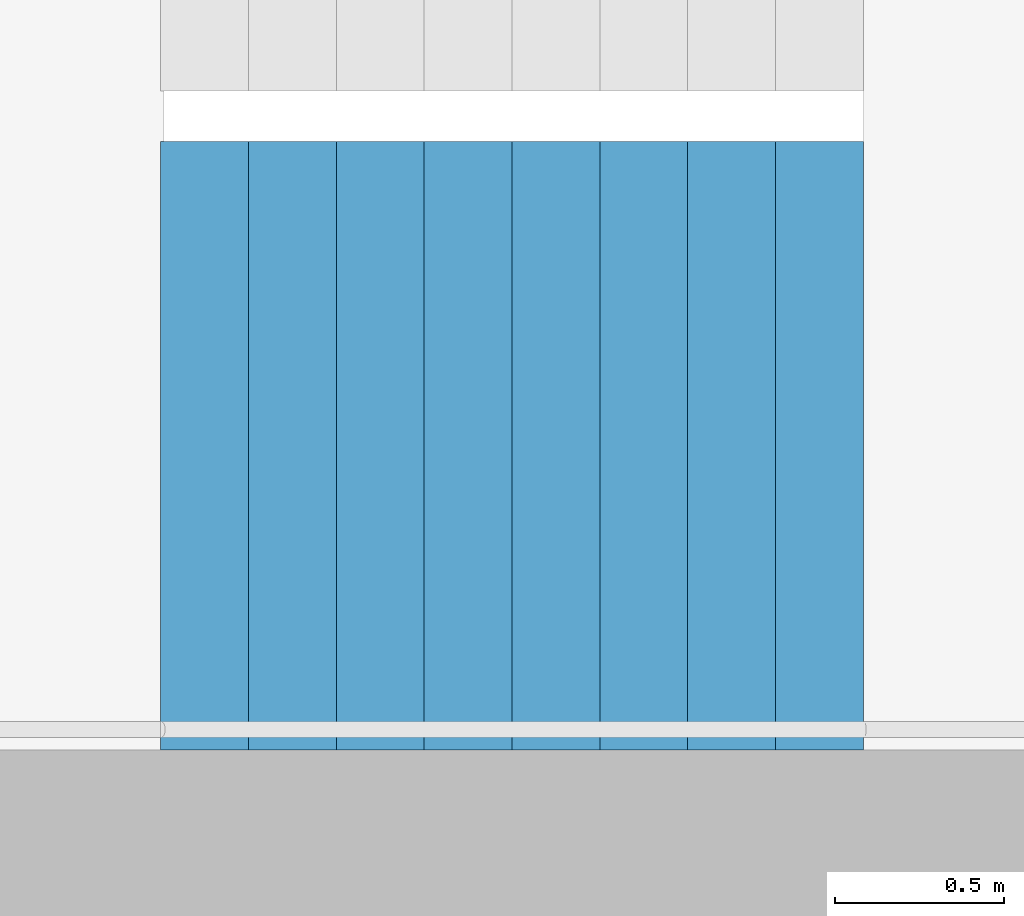
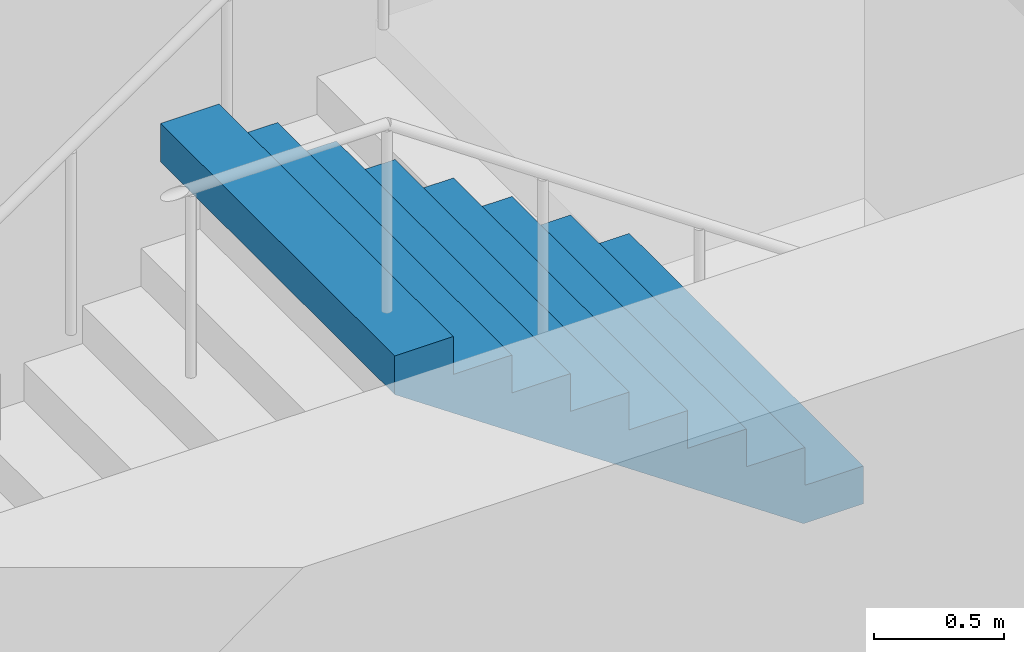
# One storey, part 25 of 29: 1 stair flight, 1 element without a shape of its own.
"""IFC4 building model written with IfcOpenShell, lengths in metres."""

from ifc_helpers import new_model, si_unit, direction, frame, origin, place, context, subcontext, project, spatial, triangles, material, type_object, element, aggregate, save


model = new_model("IFC4")

# Units and contexts
model_context = context("Model", 3, precision=1e-05, world=origin(), true_north=direction((0.0, 1.0)))
body_context = subcontext(model_context, "Body", "Model", "MODEL_VIEW")
ifc_project = project(units=[si_unit("LENGTHUNIT", "METRE"), si_unit("AREAUNIT", "SQUARE_METRE"), si_unit("VOLUMEUNIT", "CUBIC_METRE"), si_unit("PLANEANGLEUNIT", "RADIAN"), si_unit("MASSUNIT", "GRAM", prefix="KILO")], contexts=[model_context])

# Site, building, storey
site_placement = place(None, origin())
site = spatial("IfcSite", under=ifc_project, at=site_placement, CompositionType="ELEMENT")
building_placement = place(site_placement, origin())
building = spatial("IfcBuilding", under=site, at=building_placement, Name="Hakoniwa Tower and Hamabe Station Hall", CompositionType="ELEMENT")
storey_placement = place(building_placement, frame((0.0, 0.0, 61.39990234375)))
storey = spatial("IfcBuildingStorey", under=building, at=storey_placement, Name="L17", CompositionType="ELEMENT", Elevation=61.39990234375)

# Stair, stair flight
ifc_material_1 = material(Name="Concrete C40", Category="concrete")
stair_type = type_object("IfcStairType", Name="ESCAPE STAIR 1800", PredefinedType="HALF_TURN_STAIR", material=ifc_material_1)
stair_placement = place(storey_placement, origin())
stair = element("IfcStair", 1, at=stair_placement, inside=storey, type_object=stair_type, Name="Escape stair ST-4 L17", PredefinedType="HALF_TURN_STAIR")
ifc_material_2 = material(Name="Concrete C40", Category="concrete")
stair_flight_type = type_object("IfcStairFlightType", Name="STAIR FLIGHT 1800", PredefinedType="STRAIGHT", material=ifc_material_2)
stair_flight_placement = place(storey_placement, frame((25.47998046875, -6.60009765625, 1.60009765625), z_axis=(0.0, 0.0, 1.0), x_axis=(-1.0, 0.0, 0.0)))
stair_flight = element("IfcStairFlight", 2, at=stair_flight_placement, type_object=stair_flight_type, Name="ST-4 flight 2", NumberOfRisers=9, NumberOfTreads=8, PredefinedType="STRAIGHT", RiserHeight=0.177777778, TreadLength=0.26, context=body_context, shape_type="Tessellation", body=[
    triangles([(0.0, 0.89990234375, 0.0), (0.260009765625, 0.89990234375, 0.0), (0.265625, 0.89990234375, 0.0), (0.52001953125, 0.89990234375, 0.174072265625), (0.780029296875, 0.89990234375, 0.351806640625), (1.0400390625, 0.89990234375, 0.529541015625), (1.300048828125, 0.89990234375, 0.707275390625), (1.56005859375, 0.89990234375, 0.885009765625), (1.820068359375, 0.89990234375, 1.062744140625), (2.080078125, 0.89990234375, 1.24072265625), (2.080078125, 0.89990234375, 1.422119140625), (1.820068359375, 0.89990234375, 1.422119140625), (1.820068359375, 0.89990234375, 1.244384765625), (1.56005859375, 0.89990234375, 1.244384765625), (1.56005859375, 0.89990234375, 1.066650390625), (1.300048828125, 0.89990234375, 1.066650390625), (1.300048828125, 0.89990234375, 0.888916015625), (1.0400390625, 0.89990234375, 0.888916015625), (1.0400390625, 0.89990234375, 0.711181640625), (0.780029296875, 0.89990234375, 0.711181640625), (0.780029296875, 0.89990234375, 0.533447265625), (0.52001953125, 0.89990234375, 0.533447265625), (0.52001953125, 0.89990234375, 0.35546875), (0.265625, 0.89990234375, 0.35546875), (0.260009765625, 0.89990234375, 0.35546875), (0.260009765625, 0.89990234375, 0.177734375), (0.0, 0.89990234375, 0.177734375), (0.0, 0.06005859375, 0.0), (0.260009765625, 0.06005859375, 0.0), (0.265625, 0.06005859375, 0.0), (0.52001953125, 0.06005859375, 0.174072265625), (0.780029296875, 0.06005859375, 0.351806640625), (1.0400390625, 0.06005859375, 0.529541015625), (1.300048828125, 0.06005859375, 0.707275390625), (1.56005859375, 0.06005859375, 0.885009765625), (1.820068359375, 0.06005859375, 1.062744140625), (2.080078125, 0.06005859375, 1.24072265625), (2.080078125, 0.06005859375, 1.422119140625), (1.820068359375, 0.06005859375, 1.422119140625), (1.820068359375, 0.06005859375, 1.244384765625), (1.56005859375, 0.06005859375, 1.244384765625), (1.56005859375, 0.06005859375, 1.066650390625), (1.300048828125, 0.06005859375, 1.066650390625), (1.300048828125, 0.06005859375, 0.888916015625), (1.0400390625, 0.06005859375, 0.888916015625), (1.0400390625, 0.06005859375, 0.711181640625), (0.780029296875, 0.06005859375, 0.711181640625), (0.780029296875, 0.06005859375, 0.533447265625), (0.52001953125, 0.06005859375, 0.533447265625), (0.52001953125, 0.06005859375, 0.35546875), (0.265625, 0.06005859375, 0.35546875), (0.260009765625, 0.06005859375, 0.35546875), (0.260009765625, 0.06005859375, 0.177734375), (0.0, 0.06005859375, 0.177734375), (0.0, 0.04296875, 0.0), (0.260009765625, 0.04296875, 0.0), (0.265625, 0.04296875, 0.0), (0.52001953125, 0.04296875, 0.174072265625), (0.780029296875, 0.04296875, 0.351806640625), (1.0400390625, 0.04296875, 0.529541015625), (1.300048828125, 0.04296875, 0.707275390625), (1.56005859375, 0.04296875, 0.885009765625), (1.820068359375, 0.04296875, 1.062744140625), (2.080078125, 0.04296875, 1.24072265625), (2.080078125, 0.04296875, 1.422119140625), (1.820068359375, 0.04296875, 1.422119140625), (1.820068359375, 0.04296875, 1.244384765625), (1.56005859375, 0.04296875, 1.244384765625), (1.56005859375, 0.04296875, 1.066650390625), (1.300048828125, 0.04296875, 1.066650390625), (1.300048828125, 0.04296875, 0.888916015625), (1.0400390625, 0.04296875, 0.888916015625), (1.0400390625, 0.04296875, 0.711181640625), (0.780029296875, 0.04296875, 0.711181640625), (0.780029296875, 0.04296875, 0.533447265625), (0.52001953125, 0.04296875, 0.533447265625), (0.52001953125, 0.04296875, 0.35546875), (0.265625, 0.04296875, 0.35546875), (0.260009765625, 0.04296875, 0.35546875), (0.260009765625, 0.04296875, 0.177734375), (0.0, 0.04296875, 0.177734375), (0.0, 0.025634765625, 0.0), (0.260009765625, 0.025634765625, 0.0), (0.265625, 0.025634765625, 0.0), (0.52001953125, 0.025634765625, 0.174072265625), (0.780029296875, 0.025634765625, 0.351806640625), (1.0400390625, 0.025634765625, 0.529541015625), (1.300048828125, 0.025634765625, 0.707275390625), (1.56005859375, 0.025634765625, 0.885009765625), (1.820068359375, 0.025634765625, 1.062744140625), (2.080078125, 0.025634765625, 1.24072265625), (2.080078125, 0.025634765625, 1.422119140625), (1.820068359375, 0.025634765625, 1.422119140625), (1.820068359375, 0.025634765625, 1.244384765625), (1.56005859375, 0.025634765625, 1.244384765625), (1.56005859375, 0.025634765625, 1.066650390625), (1.300048828125, 0.025634765625, 1.066650390625), (1.300048828125, 0.025634765625, 0.888916015625), (1.0400390625, 0.025634765625, 0.888916015625), (1.0400390625, 0.025634765625, 0.711181640625), (0.780029296875, 0.025634765625, 0.711181640625), (0.780029296875, 0.025634765625, 0.533447265625), (0.52001953125, 0.025634765625, 0.533447265625), (0.52001953125, 0.025634765625, 0.35546875), (0.265625, 0.025634765625, 0.35546875), (0.260009765625, 0.025634765625, 0.35546875), (0.260009765625, 0.025634765625, 0.177734375), (0.0, 0.025634765625, 0.177734375), (0.0, 0.008544921875, 0.0), (0.260009765625, 0.008544921875, 0.0), (0.265625, 0.008544921875, 0.0), (0.52001953125, 0.008544921875, 0.174072265625), (0.780029296875, 0.008544921875, 0.351806640625), (1.0400390625, 0.008544921875, 0.529541015625), (1.300048828125, 0.008544921875, 0.707275390625), (1.56005859375, 0.008544921875, 0.885009765625), (1.820068359375, 0.008544921875, 1.062744140625), (2.080078125, 0.008544921875, 1.24072265625), (2.080078125, 0.008544921875, 1.422119140625), (1.820068359375, 0.008544921875, 1.422119140625), (1.820068359375, 0.008544921875, 1.244384765625), (1.56005859375, 0.008544921875, 1.244384765625), (1.56005859375, 0.008544921875, 1.066650390625), (1.300048828125, 0.008544921875, 1.066650390625), (1.300048828125, 0.008544921875, 0.888916015625), (1.0400390625, 0.008544921875, 0.888916015625), (1.0400390625, 0.008544921875, 0.711181640625), (0.780029296875, 0.008544921875, 0.711181640625), (0.780029296875, 0.008544921875, 0.533447265625), (0.52001953125, 0.008544921875, 0.533447265625), (0.52001953125, 0.008544921875, 0.35546875), (0.265625, 0.008544921875, 0.35546875), (0.260009765625, 0.008544921875, 0.35546875), (0.260009765625, 0.008544921875, 0.177734375), (0.0, 0.008544921875, 0.177734375), (0.0, -0.008544921875, 0.0), (0.260009765625, -0.008544921875, 0.0), (0.265625, -0.008544921875, 0.0), (0.52001953125, -0.008544921875, 0.174072265625), (0.780029296875, -0.008544921875, 0.351806640625), (1.0400390625, -0.008544921875, 0.529541015625), (1.300048828125, -0.008544921875, 0.707275390625), (1.56005859375, -0.008544921875, 0.885009765625), (1.820068359375, -0.008544921875, 1.062744140625), (2.080078125, -0.008544921875, 1.24072265625), (2.080078125, -0.008544921875, 1.422119140625), (1.820068359375, -0.008544921875, 1.422119140625), (1.820068359375, -0.008544921875, 1.244384765625), (1.56005859375, -0.008544921875, 1.244384765625), (1.56005859375, -0.008544921875, 1.066650390625), (1.300048828125, -0.008544921875, 1.066650390625), (1.300048828125, -0.008544921875, 0.888916015625), (1.0400390625, -0.008544921875, 0.888916015625), (1.0400390625, -0.008544921875, 0.711181640625), (0.780029296875, -0.008544921875, 0.711181640625), (0.780029296875, -0.008544921875, 0.533447265625), (0.52001953125, -0.008544921875, 0.533447265625), (0.52001953125, -0.008544921875, 0.35546875), (0.265625, -0.008544921875, 0.35546875), (0.260009765625, -0.008544921875, 0.35546875), (0.260009765625, -0.008544921875, 0.177734375), (0.0, -0.008544921875, 0.177734375), (0.0, -0.025634765625, 0.0), (0.260009765625, -0.025634765625, 0.0), (0.265625, -0.025634765625, 0.0), (0.52001953125, -0.025634765625, 0.174072265625), (0.780029296875, -0.025634765625, 0.351806640625), (1.0400390625, -0.025634765625, 0.529541015625), (1.300048828125, -0.025634765625, 0.707275390625), (1.56005859375, -0.025634765625, 0.885009765625), (1.820068359375, -0.025634765625, 1.062744140625), (2.080078125, -0.025634765625, 1.24072265625), (2.080078125, -0.025634765625, 1.422119140625), (1.820068359375, -0.025634765625, 1.422119140625), (1.820068359375, -0.025634765625, 1.244384765625), (1.56005859375, -0.025634765625, 1.244384765625), (1.56005859375, -0.025634765625, 1.066650390625), (1.300048828125, -0.025634765625, 1.066650390625), (1.300048828125, -0.025634765625, 0.888916015625), (1.0400390625, -0.025634765625, 0.888916015625), (1.0400390625, -0.025634765625, 0.711181640625), (0.780029296875, -0.025634765625, 0.711181640625), (0.780029296875, -0.025634765625, 0.533447265625), (0.52001953125, -0.025634765625, 0.533447265625), (0.52001953125, -0.025634765625, 0.35546875), (0.265625, -0.025634765625, 0.35546875), (0.260009765625, -0.025634765625, 0.35546875), (0.260009765625, -0.025634765625, 0.177734375), (0.0, -0.025634765625, 0.177734375), (0.0, -0.04296875, 0.0), (0.260009765625, -0.04296875, 0.0), (0.265625, -0.04296875, 0.0), (0.52001953125, -0.04296875, 0.174072265625), (0.780029296875, -0.04296875, 0.351806640625), (1.0400390625, -0.04296875, 0.529541015625), (1.300048828125, -0.04296875, 0.707275390625), (1.56005859375, -0.04296875, 0.885009765625), (1.820068359375, -0.04296875, 1.062744140625), (2.080078125, -0.04296875, 1.24072265625), (2.080078125, -0.04296875, 1.422119140625), (1.820068359375, -0.04296875, 1.422119140625), (1.820068359375, -0.04296875, 1.244384765625), (1.56005859375, -0.04296875, 1.244384765625), (1.56005859375, -0.04296875, 1.066650390625), (1.300048828125, -0.04296875, 1.066650390625), (1.300048828125, -0.04296875, 0.888916015625), (1.0400390625, -0.04296875, 0.888916015625), (1.0400390625, -0.04296875, 0.711181640625), (0.780029296875, -0.04296875, 0.711181640625), (0.780029296875, -0.04296875, 0.533447265625), (0.52001953125, -0.04296875, 0.533447265625), (0.52001953125, -0.04296875, 0.35546875), (0.265625, -0.04296875, 0.35546875), (0.260009765625, -0.04296875, 0.35546875), (0.260009765625, -0.04296875, 0.177734375), (0.0, -0.04296875, 0.177734375), (0.0, -0.06005859375, 0.0), (0.260009765625, -0.06005859375, 0.0), (0.265625, -0.06005859375, 0.0), (0.52001953125, -0.06005859375, 0.174072265625), (0.780029296875, -0.06005859375, 0.351806640625), (1.0400390625, -0.06005859375, 0.529541015625), (1.300048828125, -0.06005859375, 0.707275390625), (1.56005859375, -0.06005859375, 0.885009765625), (1.820068359375, -0.06005859375, 1.062744140625), (2.080078125, -0.06005859375, 1.24072265625), (2.080078125, -0.06005859375, 1.422119140625), (1.820068359375, -0.06005859375, 1.422119140625), (1.820068359375, -0.06005859375, 1.244384765625), (1.56005859375, -0.06005859375, 1.244384765625), (1.56005859375, -0.06005859375, 1.066650390625), (1.300048828125, -0.06005859375, 1.066650390625), (1.300048828125, -0.06005859375, 0.888916015625), (1.0400390625, -0.06005859375, 0.888916015625), (1.0400390625, -0.06005859375, 0.711181640625), (0.780029296875, -0.06005859375, 0.711181640625), (0.780029296875, -0.06005859375, 0.533447265625), (0.52001953125, -0.06005859375, 0.533447265625), (0.52001953125, -0.06005859375, 0.35546875), (0.265625, -0.06005859375, 0.35546875), (0.260009765625, -0.06005859375, 0.35546875), (0.260009765625, -0.06005859375, 0.177734375), (0.0, -0.06005859375, 0.177734375), (0.0, -0.89990234375, 0.0), (0.260009765625, -0.89990234375, 0.0), (0.265625, -0.89990234375, 0.0), (0.52001953125, -0.89990234375, 0.174072265625), (0.780029296875, -0.89990234375, 0.351806640625), (1.0400390625, -0.89990234375, 0.529541015625), (1.300048828125, -0.89990234375, 0.707275390625), (1.56005859375, -0.89990234375, 0.885009765625), (1.820068359375, -0.89990234375, 1.062744140625), (2.080078125, -0.89990234375, 1.24072265625), (2.080078125, -0.89990234375, 1.422119140625), (1.820068359375, -0.89990234375, 1.422119140625), (1.820068359375, -0.89990234375, 1.244384765625), (1.56005859375, -0.89990234375, 1.244384765625), (1.56005859375, -0.89990234375, 1.066650390625), (1.300048828125, -0.89990234375, 1.066650390625), (1.300048828125, -0.89990234375, 0.888916015625), (1.0400390625, -0.89990234375, 0.888916015625), (1.0400390625, -0.89990234375, 0.711181640625), (0.780029296875, -0.89990234375, 0.711181640625), (0.780029296875, -0.89990234375, 0.533447265625), (0.52001953125, -0.89990234375, 0.533447265625), (0.52001953125, -0.89990234375, 0.35546875), (0.265625, -0.89990234375, 0.35546875), (0.260009765625, -0.89990234375, 0.35546875), (0.260009765625, -0.89990234375, 0.177734375), (0.0, -0.89990234375, 0.177734375)], [[2, 27, 26], [245, 269, 270], [2, 1, 27], [245, 270, 244], [3, 25, 24], [246, 267, 268], [3, 26, 25], [246, 268, 269], [3, 2, 26], [246, 269, 245], [4, 24, 23], [247, 266, 267], [4, 3, 24], [247, 267, 246], [5, 22, 21], [248, 264, 265], [5, 23, 22], [248, 265, 266], [5, 4, 23], [248, 266, 247], [6, 20, 19], [249, 262, 263], [6, 21, 20], [249, 263, 264], [6, 5, 21], [249, 264, 248], [7, 18, 17], [250, 260, 261], [7, 19, 18], [250, 261, 262], [7, 6, 19], [250, 262, 249], [8, 16, 15], [251, 258, 259], [8, 17, 16], [251, 259, 260], [8, 7, 17], [251, 260, 250], [9, 14, 13], [252, 256, 257], [9, 15, 14], [252, 257, 258], [9, 8, 15], [252, 258, 251], [10, 12, 11], [253, 254, 255], [10, 13, 12], [253, 255, 256], [10, 9, 13], [253, 256, 252], [1, 2, 29], [1, 29, 28], [28, 29, 56], [28, 56, 55], [55, 56, 83], [55, 83, 82], [82, 83, 110], [82, 110, 109], [109, 110, 137], [109, 137, 136], [136, 137, 164], [136, 164, 163], [163, 164, 191], [163, 191, 190], [190, 191, 218], [190, 218, 217], [217, 218, 245], [217, 245, 244], [2, 3, 30], [2, 30, 29], [29, 30, 57], [29, 57, 56], [56, 57, 84], [56, 84, 83], [83, 84, 111], [83, 111, 110], [110, 111, 138], [110, 138, 137], [137, 138, 165], [137, 165, 164], [164, 165, 192], [164, 192, 191], [191, 192, 219], [191, 219, 218], [218, 219, 246], [218, 246, 245], [3, 4, 31], [3, 31, 30], [30, 31, 58], [30, 58, 57], [57, 58, 85], [57, 85, 84], [84, 85, 112], [84, 112, 111], [111, 112, 139], [111, 139, 138], [138, 139, 166], [138, 166, 165], [165, 166, 193], [165, 193, 192], [192, 193, 220], [192, 220, 219], [219, 220, 247], [219, 247, 246], [4, 5, 32], [4, 32, 31], [31, 32, 59], [31, 59, 58], [58, 59, 86], [58, 86, 85], [85, 86, 113], [85, 113, 112], [112, 113, 140], [112, 140, 139], [139, 140, 167], [139, 167, 166], [166, 167, 194], [166, 194, 193], [193, 194, 221], [193, 221, 220], [220, 221, 248], [220, 248, 247], [5, 6, 33], [5, 33, 32], [32, 33, 60], [32, 60, 59], [59, 60, 87], [59, 87, 86], [86, 87, 114], [86, 114, 113], [113, 114, 141], [113, 141, 140], [140, 141, 168], [140, 168, 167], [167, 168, 195], [167, 195, 194], [194, 195, 222], [194, 222, 221], [221, 222, 249], [221, 249, 248], [6, 7, 34], [6, 34, 33], [33, 34, 61], [33, 61, 60], [60, 61, 88], [60, 88, 87], [87, 88, 115], [87, 115, 114], [114, 115, 142], [114, 142, 141], [141, 142, 169], [141, 169, 168], [168, 169, 196], [168, 196, 195], [195, 196, 223], [195, 223, 222], [222, 223, 250], [222, 250, 249], [7, 8, 35], [7, 35, 34], [34, 35, 62], [34, 62, 61], [61, 62, 89], [61, 89, 88], [88, 89, 116], [88, 116, 115], [115, 116, 143], [115, 143, 142], [142, 143, 170], [142, 170, 169], [169, 170, 197], [169, 197, 196], [196, 197, 224], [196, 224, 223], [223, 224, 251], [223, 251, 250], [8, 9, 36], [8, 36, 35], [35, 36, 63], [35, 63, 62], [62, 63, 90], [62, 90, 89], [89, 90, 117], [89, 117, 116], [116, 117, 144], [116, 144, 143], [143, 144, 171], [143, 171, 170], [170, 171, 198], [170, 198, 197], [197, 198, 225], [197, 225, 224], [224, 225, 252], [224, 252, 251], [9, 10, 37], [9, 37, 36], [36, 37, 64], [36, 64, 63], [63, 64, 91], [63, 91, 90], [90, 91, 118], [90, 118, 117], [117, 118, 145], [117, 145, 144], [144, 145, 172], [144, 172, 171], [171, 172, 199], [171, 199, 198], [198, 199, 226], [198, 226, 225], [225, 226, 253], [225, 253, 252], [10, 11, 38], [10, 38, 37], [37, 38, 65], [37, 65, 64], [64, 65, 92], [64, 92, 91], [91, 92, 119], [91, 119, 118], [118, 119, 146], [118, 146, 145], [145, 146, 173], [145, 173, 172], [172, 173, 200], [172, 200, 199], [199, 200, 227], [199, 227, 226], [226, 227, 254], [226, 254, 253], [11, 12, 39], [11, 39, 38], [38, 39, 66], [38, 66, 65], [65, 66, 93], [65, 93, 92], [92, 93, 120], [92, 120, 119], [119, 120, 147], [119, 147, 146], [146, 147, 174], [146, 174, 173], [173, 174, 201], [173, 201, 200], [200, 201, 228], [200, 228, 227], [227, 228, 255], [227, 255, 254], [12, 13, 40], [12, 40, 39], [39, 40, 67], [39, 67, 66], [66, 67, 94], [66, 94, 93], [93, 94, 121], [93, 121, 120], [120, 121, 148], [120, 148, 147], [147, 148, 175], [147, 175, 174], [174, 175, 202], [174, 202, 201], [201, 202, 229], [201, 229, 228], [228, 229, 256], [228, 256, 255], [13, 14, 41], [13, 41, 40], [40, 41, 68], [40, 68, 67], [67, 68, 95], [67, 95, 94], [94, 95, 122], [94, 122, 121], [121, 122, 149], [121, 149, 148], [148, 149, 176], [148, 176, 175], [175, 176, 203], [175, 203, 202], [202, 203, 230], [202, 230, 229], [229, 230, 257], [229, 257, 256], [14, 15, 42], [14, 42, 41], [41, 42, 69], [41, 69, 68], [68, 69, 96], [68, 96, 95], [95, 96, 123], [95, 123, 122], [122, 123, 150], [122, 150, 149], [149, 150, 177], [149, 177, 176], [176, 177, 204], [176, 204, 203], [203, 204, 231], [203, 231, 230], [230, 231, 258], [230, 258, 257], [15, 16, 43], [15, 43, 42], [42, 43, 70], [42, 70, 69], [69, 70, 97], [69, 97, 96], [96, 97, 124], [96, 124, 123], [123, 124, 151], [123, 151, 150], [150, 151, 178], [150, 178, 177], [177, 178, 205], [177, 205, 204], [204, 205, 232], [204, 232, 231], [231, 232, 259], [231, 259, 258], [16, 17, 44], [16, 44, 43], [43, 44, 71], [43, 71, 70], [70, 71, 98], [70, 98, 97], [97, 98, 125], [97, 125, 124], [124, 125, 152], [124, 152, 151], [151, 152, 179], [151, 179, 178], [178, 179, 206], [178, 206, 205], [205, 206, 233], [205, 233, 232], [232, 233, 260], [232, 260, 259], [17, 18, 45], [17, 45, 44], [44, 45, 72], [44, 72, 71], [71, 72, 99], [71, 99, 98], [98, 99, 126], [98, 126, 125], [125, 126, 153], [125, 153, 152], [152, 153, 180], [152, 180, 179], [179, 180, 207], [179, 207, 206], [206, 207, 234], [206, 234, 233], [233, 234, 261], [233, 261, 260], [18, 19, 46], [18, 46, 45], [45, 46, 73], [45, 73, 72], [72, 73, 100], [72, 100, 99], [99, 100, 127], [99, 127, 126], [126, 127, 154], [126, 154, 153], [153, 154, 181], [153, 181, 180], [180, 181, 208], [180, 208, 207], [207, 208, 235], [207, 235, 234], [234, 235, 262], [234, 262, 261], [19, 20, 47], [19, 47, 46], [46, 47, 74], [46, 74, 73], [73, 74, 101], [73, 101, 100], [100, 101, 128], [100, 128, 127], [127, 128, 155], [127, 155, 154], [154, 155, 182], [154, 182, 181], [181, 182, 209], [181, 209, 208], [208, 209, 236], [208, 236, 235], [235, 236, 263], [235, 263, 262], [20, 21, 48], [20, 48, 47], [47, 48, 75], [47, 75, 74], [74, 75, 102], [74, 102, 101], [101, 102, 129], [101, 129, 128], [128, 129, 156], [128, 156, 155], [155, 156, 183], [155, 183, 182], [182, 183, 210], [182, 210, 209], [209, 210, 237], [209, 237, 236], [236, 237, 264], [236, 264, 263], [21, 22, 49], [21, 49, 48], [48, 49, 76], [48, 76, 75], [75, 76, 103], [75, 103, 102], [102, 103, 130], [102, 130, 129], [129, 130, 157], [129, 157, 156], [156, 157, 184], [156, 184, 183], [183, 184, 211], [183, 211, 210], [210, 211, 238], [210, 238, 237], [237, 238, 265], [237, 265, 264], [22, 23, 50], [22, 50, 49], [49, 50, 77], [49, 77, 76], [76, 77, 104], [76, 104, 103], [103, 104, 131], [103, 131, 130], [130, 131, 158], [130, 158, 157], [157, 158, 185], [157, 185, 184], [184, 185, 212], [184, 212, 211], [211, 212, 239], [211, 239, 238], [238, 239, 266], [238, 266, 265], [23, 24, 51], [23, 51, 50], [50, 51, 78], [50, 78, 77], [77, 78, 105], [77, 105, 104], [104, 105, 132], [104, 132, 131], [131, 132, 159], [131, 159, 158], [158, 159, 186], [158, 186, 185], [185, 186, 213], [185, 213, 212], [212, 213, 240], [212, 240, 239], [239, 240, 267], [239, 267, 266], [24, 25, 52], [24, 52, 51], [51, 52, 79], [51, 79, 78], [78, 79, 106], [78, 106, 105], [105, 106, 133], [105, 133, 132], [132, 133, 160], [132, 160, 159], [159, 160, 187], [159, 187, 186], [186, 187, 214], [186, 214, 213], [213, 214, 241], [213, 241, 240], [240, 241, 268], [240, 268, 267], [25, 26, 53], [25, 53, 52], [52, 53, 80], [52, 80, 79], [79, 80, 107], [79, 107, 106], [106, 107, 134], [106, 134, 133], [133, 134, 161], [133, 161, 160], [160, 161, 188], [160, 188, 187], [187, 188, 215], [187, 215, 214], [214, 215, 242], [214, 242, 241], [241, 242, 269], [241, 269, 268], [26, 27, 54], [26, 54, 53], [53, 54, 81], [53, 81, 80], [80, 81, 108], [80, 108, 107], [107, 108, 135], [107, 135, 134], [134, 135, 162], [134, 162, 161], [161, 162, 189], [161, 189, 188], [188, 189, 216], [188, 216, 215], [215, 216, 243], [215, 243, 242], [242, 243, 270], [242, 270, 269], [27, 1, 28], [27, 28, 54], [54, 28, 55], [54, 55, 81], [81, 55, 82], [81, 82, 108], [108, 82, 109], [108, 109, 135], [135, 109, 136], [135, 136, 162], [162, 136, 163], [162, 163, 189], [189, 163, 190], [189, 190, 216], [216, 190, 217], [216, 217, 243], [243, 217, 244], [243, 244, 270]], closed=True),
])
aggregate(stair, [stair_flight])

save(model, "model.ifc")
